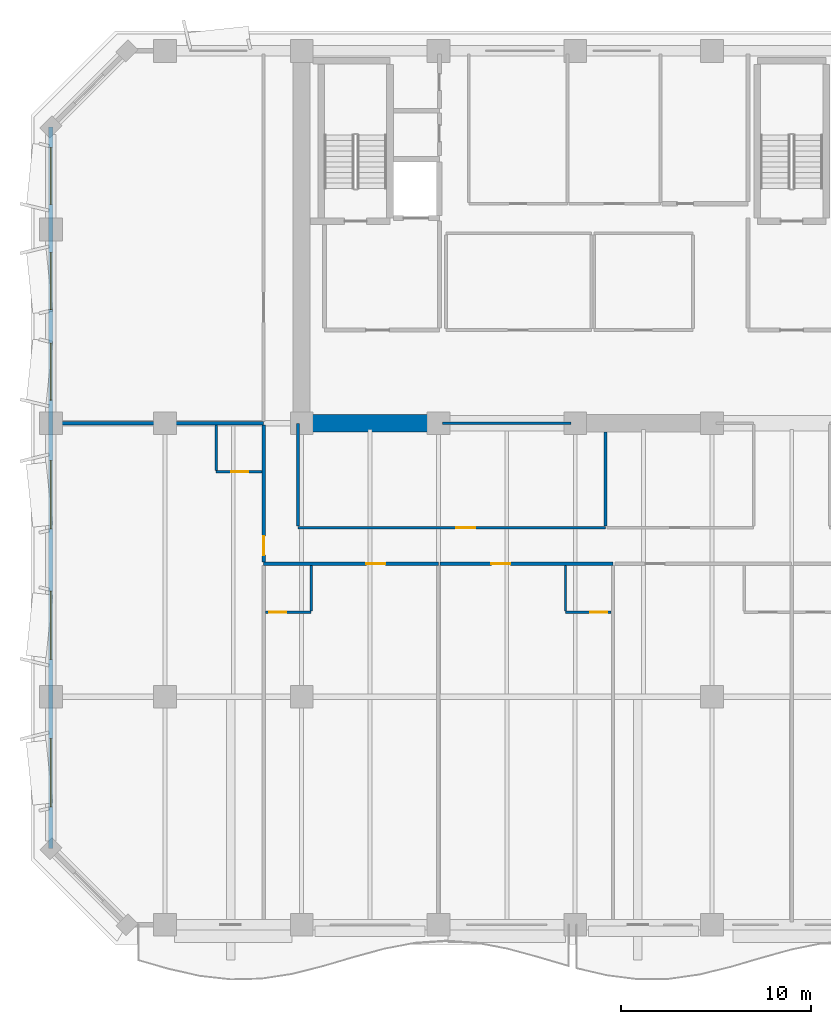
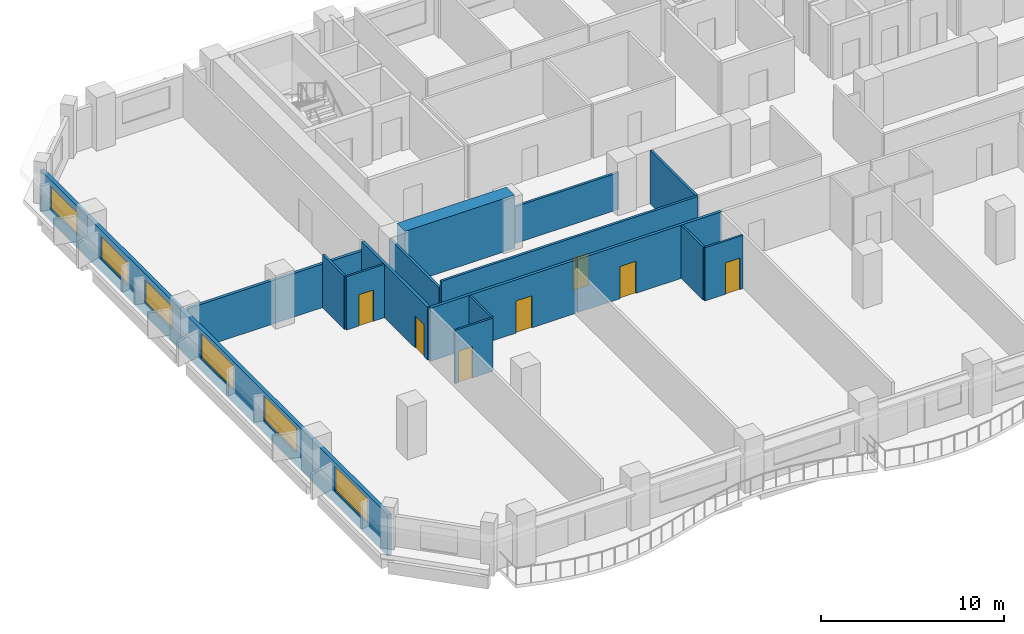
# One storey, part 4 of 14: 16 walls, 7 doors, 6 windows, 13 openings.
"""IFC4 building model written with IfcOpenShell, lengths in metres."""

from ifc_helpers import new_model, si_unit, direction, frame, frame_2d, origin, place, context, subcontext, project, spatial, rectangle, extrude, material, layer, layer_set, type_object, element, fill, save


model = new_model("IFC4")

# Units and contexts
model_context = context("Model", 3, precision=1e-05, world=origin(), true_north=direction((0.0, 1.0)))
body_context = subcontext(model_context, "Body", "Model", "MODEL_VIEW")
ifc_project = project(units=[si_unit("LENGTHUNIT", "METRE"), si_unit("AREAUNIT", "SQUARE_METRE"), si_unit("VOLUMEUNIT", "CUBIC_METRE"), si_unit("PLANEANGLEUNIT", "RADIAN"), si_unit("MASSUNIT", "GRAM", prefix="KILO")], contexts=[model_context])

# Site, building, storey
site_placement = place(None, origin())
site = spatial("IfcSite", under=ifc_project, at=site_placement, CompositionType="ELEMENT")
building_placement = place(site_placement, origin())
building = spatial("IfcBuilding", under=site, at=building_placement, Name="Kaelvorn Grand Hotel", CompositionType="ELEMENT")
storey_placement = place(building_placement, frame((0.0, 0.0, 197.75)))
storey = spatial("IfcBuildingStorey", under=building, at=storey_placement, Name="L48", CompositionType="ELEMENT", Elevation=197.75)

# Wall
ifc_material_1 = material(Name="Concrete C60/75", Category="concrete")
ifc_layer_1 = layer(ifc_material_1, 0.89990234375)
ifc_layer_set_1 = layer_set([ifc_layer_1], Name="Concrete C60/75")
wall_type_1 = type_object("IfcWallType", Name="WL-CORE-900-C60", PredefinedType="SHEAR", material=ifc_layer_set_1)
wall_1_placement = place(storey_placement, frame((16.655029296875, 29.39990234375, 0.0), z_axis=(0.0, 0.0, 1.0), x_axis=(1.0, 0.0, 0.0)))
element("IfcWall", 1, at=wall_1_placement, inside=storey, type_object=wall_type_1, Name="L48 Rear-Core Coupled Shear Pier S1", PredefinedType="SHEAR", context=body_context, shape_type="SweptSolid", body=[
    extrude(rectangle(XDim=6.945068359375, YDim=0.89990234375, at=frame_2d((3.47265625, 0.0))), origin(), (0.0, 0.0, 1.0), 3.56005859375),
])

# Wall, openings, windows
ifc_material_2 = material(Name="Concrete C40/50", Category="concrete")
ifc_layer_2 = layer(ifc_material_2, 0.239990234375)
ifc_layer_set_2 = layer_set([ifc_layer_2], Name="Concrete C40/50")
wall_type_2 = type_object("IfcWallType", Name="WL-EXT-240-C40", PredefinedType="SOLIDWALL", material=ifc_layer_set_2)
wall_2_placement = place(storey_placement, frame((3.0, 45.0, 0.0), z_axis=(0.0, 0.0, 1.0), x_axis=(0.0, -1.0, 0.0)))
wall_2 = element("IfcWall", 2, at=wall_2_placement, inside=storey, type_object=wall_type_2, Name="L48 Exterior Architectural Concrete Wall 07", PredefinedType="SOLIDWALL", context=body_context, shape_type="SweptSolid", body=[
    extrude(rectangle(XDim=38.0, YDim=0.239990234375, at=frame_2d((19.0, 0.0))), origin(), (0.0, 0.0, 1.0), 2.760009765625),
])
opening_1_placement = place(wall_2_placement, frame((32.199951171875, 0.0, 0.85009765625)))
opening_1 = element("IfcOpeningElement", 3, at=opening_1_placement, cuts=wall_2, Name="Opening W3", PredefinedType="OPENING", context=body_context, shape_type="SweptSolid", body=[
    extrude(rectangle(XDim=3.60009765625, YDim=1.64990234375, at=frame_2d((1.800048828125, 0.824951171875))), frame((0.0, 0.1298828125, 0.0), z_axis=(0.0, -1.0, 0.0), x_axis=(1.0, 0.0, 0.0)), (0.0, 0.0, 1.0), 0.260009765625),
])
opening_2_placement = place(wall_2_placement, frame((24.43505859375, 0.0, 0.85009765625)))
opening_2 = element("IfcOpeningElement", 4, at=opening_2_placement, cuts=wall_2, Name="Opening W3", PredefinedType="OPENING", context=body_context, shape_type="SweptSolid", body=[
    extrude(rectangle(XDim=3.60009765625, YDim=1.64990234375, at=frame_2d((1.800048828125, 0.824951171875))), frame((0.0, 0.1298828125, 0.0), z_axis=(0.0, -1.0, 0.0), x_axis=(1.0, 0.0, 0.0)), (0.0, 0.0, 1.0), 0.260009765625),
])
opening_3_placement = place(wall_2_placement, frame((17.56494140625, 0.0, 0.85009765625)))
opening_3 = element("IfcOpeningElement", 5, at=opening_3_placement, cuts=wall_2, Name="Opening W3", PredefinedType="OPENING", context=body_context, shape_type="SweptSolid", body=[
    extrude(rectangle(XDim=3.60009765625, YDim=1.64990234375, at=frame_2d((1.800048828125, 0.824951171875))), frame((0.0, 0.1298828125, 0.0), z_axis=(0.0, -1.0, 0.0), x_axis=(1.0, 0.0, 0.0)), (0.0, 0.0, 1.0), 0.260009765625),
])
opening_4_placement = place(wall_2_placement, frame((11.385009765625, 0.0, 0.85009765625)))
opening_4 = element("IfcOpeningElement", 6, at=opening_4_placement, cuts=wall_2, Name="Opening W5", PredefinedType="OPENING", context=body_context, shape_type="SweptSolid", body=[
    extrude(rectangle(XDim=3.0, YDim=1.5, at=frame_2d((1.5, 0.75))), frame((0.0, 0.1298828125, 0.0), z_axis=(0.0, -1.0, 0.0), x_axis=(1.0, 0.0, 0.0)), (0.0, 0.0, 1.0), 0.260009765625),
])
opening_5_placement = place(wall_2_placement, frame((6.614990234375, 0.0, 0.85009765625)))
opening_5 = element("IfcOpeningElement", 7, at=opening_5_placement, cuts=wall_2, Name="Opening W5", PredefinedType="OPENING", context=body_context, shape_type="SweptSolid", body=[
    extrude(rectangle(XDim=3.0, YDim=1.5, at=frame_2d((1.5, 0.75))), frame((0.0, 0.1298828125, 0.0), z_axis=(0.0, -1.0, 0.0), x_axis=(1.0, 0.0, 0.0)), (0.0, 0.0, 1.0), 0.260009765625),
])
opening_6_placement = place(wall_2_placement, frame((1.0849609375, 0.0, 0.85009765625)))
opening_6 = element("IfcOpeningElement", 8, at=opening_6_placement, cuts=wall_2, Name="Opening W5", PredefinedType="OPENING", context=body_context, shape_type="SweptSolid", body=[
    extrude(rectangle(XDim=3.0, YDim=1.5, at=frame_2d((1.5, 0.75))), frame((0.0, 0.1298828125, 0.0), z_axis=(0.0, -1.0, 0.0), x_axis=(1.0, 0.0, 0.0)), (0.0, 0.0, 1.0), 0.260009765625),
])
ifc_material_3 = material(Name="Laminated Low-E Glass", Category="glass")
window_type_1 = type_object("IfcWindowType", Name="WIN-NTH-3000x1500", PartitioningType="SINGLE_PANEL", PredefinedType="WINDOW", material=ifc_material_3)
window_1_placement = place(opening_4_placement, origin())
window_1 = element("IfcWindow", 9, at=window_1_placement, inside=storey, type_object=window_type_1, Name="L48 W Wing Tilted-Frame Ribbon Window W04", OverallHeight=1.5, OverallWidth=3.0, PartitioningType="SINGLE_PANEL", PredefinedType="WINDOW", context=body_context, shape_type="SweptSolid", body=[
    extrude(rectangle(XDim=3.0, YDim=1.5, at=frame_2d((1.5, 0.75))), frame((0.0, 0.030029296875, 0.0), z_axis=(0.0, -1.0, 0.0), x_axis=(1.0, 0.0, 0.0)), (0.0, 0.0, 1.0), 0.06005859375),
])
fill(opening_4, window_1)
window_2_placement = place(opening_5_placement, origin())
window_2 = element("IfcWindow", 10, at=window_2_placement, inside=storey, type_object=window_type_1, Name="L48 W Wing Tilted-Frame Ribbon Window W05", OverallHeight=1.5, OverallWidth=3.0, PartitioningType="SINGLE_PANEL", PredefinedType="WINDOW", context=body_context, shape_type="SweptSolid", body=[
    extrude(rectangle(XDim=3.0, YDim=1.5, at=frame_2d((1.5, 0.75))), frame((0.0, 0.030029296875, 0.0), z_axis=(0.0, -1.0, 0.0), x_axis=(1.0, 0.0, 0.0)), (0.0, 0.0, 1.0), 0.06005859375),
])
fill(opening_5, window_2)
window_3_placement = place(opening_6_placement, origin())
window_3 = element("IfcWindow", 11, at=window_3_placement, inside=storey, type_object=window_type_1, Name="L48 W Wing Tilted-Frame Ribbon Window W06", OverallHeight=1.5, OverallWidth=3.0, PartitioningType="SINGLE_PANEL", PredefinedType="WINDOW", context=body_context, shape_type="SweptSolid", body=[
    extrude(rectangle(XDim=3.0, YDim=1.5, at=frame_2d((1.5, 0.75))), frame((0.0, 0.030029296875, 0.0), z_axis=(0.0, -1.0, 0.0), x_axis=(1.0, 0.0, 0.0)), (0.0, 0.0, 1.0), 0.06005859375),
])
fill(opening_6, window_3)
window_type_2 = type_object("IfcWindowType", Name="WIN-RIB-3600x1750", PartitioningType="SINGLE_PANEL", PredefinedType="WINDOW", material=ifc_material_3)
window_4_placement = place(opening_1_placement, origin())
window_4 = element("IfcWindow", 12, at=window_4_placement, inside=storey, type_object=window_type_2, Name="L48 W Wing Tilted-Frame Ribbon Window W01", OverallHeight=1.64990234375, OverallWidth=3.60009765625, PartitioningType="SINGLE_PANEL", PredefinedType="WINDOW", context=body_context, shape_type="SweptSolid", body=[
    extrude(rectangle(XDim=3.60009765625, YDim=1.64990234375, at=frame_2d((1.800048828125, 0.824951171875))), frame((0.0, 0.030029296875, 0.0), z_axis=(0.0, -1.0, 0.0), x_axis=(1.0, 0.0, 0.0)), (0.0, 0.0, 1.0), 0.06005859375),
])
fill(opening_1, window_4)
window_5_placement = place(opening_2_placement, origin())
window_5 = element("IfcWindow", 13, at=window_5_placement, inside=storey, type_object=window_type_2, Name="L48 W Wing Tilted-Frame Ribbon Window W02", OverallHeight=1.64990234375, OverallWidth=3.60009765625, PartitioningType="SINGLE_PANEL", PredefinedType="WINDOW", context=body_context, shape_type="SweptSolid", body=[
    extrude(rectangle(XDim=3.60009765625, YDim=1.64990234375, at=frame_2d((1.800048828125, 0.824951171875))), frame((0.0, 0.030029296875, 0.0), z_axis=(0.0, -1.0, 0.0), x_axis=(1.0, 0.0, 0.0)), (0.0, 0.0, 1.0), 0.06005859375),
])
fill(opening_2, window_5)
window_6_placement = place(opening_3_placement, origin())
window_6 = element("IfcWindow", 14, at=window_6_placement, inside=storey, type_object=window_type_2, Name="L48 W Wing Tilted-Frame Ribbon Window W03", OverallHeight=1.64990234375, OverallWidth=3.60009765625, PartitioningType="SINGLE_PANEL", PredefinedType="WINDOW", context=body_context, shape_type="SweptSolid", body=[
    extrude(rectangle(XDim=3.60009765625, YDim=1.64990234375, at=frame_2d((1.800048828125, 0.824951171875))), frame((0.0, 0.030029296875, 0.0), z_axis=(0.0, -1.0, 0.0), x_axis=(1.0, 0.0, 0.0)), (0.0, 0.0, 1.0), 0.06005859375),
])
fill(opening_3, window_6)

# Wall, opening, door
ifc_material_4 = material(Name="Moisture-Resistant Tile & Stud Board")
ifc_layer_3 = layer(ifc_material_4, 0.125)
ifc_layer_set_3 = layer_set([ifc_layer_3], Name="Moisture-Resistant Tile & Stud Board")
wall_type_3 = type_object("IfcWallType", Name="WL-PART-125-WET", PredefinedType="PARTITIONING", material=ifc_layer_set_3)
wall_3_placement = place(storey_placement, frame((14.294921875, 19.449951171875, 0.0), z_axis=(0.0, 0.0, 1.0), x_axis=(1.0, 0.0, 0.0)))
wall_3 = element("IfcWall", 15, at=wall_3_placement, inside=storey, type_object=wall_type_3, Name="L48 En-suite Bathroom L48-01 S Partition", PredefinedType="PARTITIONING", context=body_context, shape_type="SweptSolid", body=[
    extrude(rectangle(XDim=2.405029296875, YDim=0.125, at=frame_2d((1.20263671875, 0.0))), origin(), (0.0, 0.0, 1.0), 3.56005859375),
])
opening_7_placement = place(wall_3_placement, frame((0.205078125, 0.0, 0.0)))
opening_7 = element("IfcOpeningElement", 16, at=opening_7_placement, cuts=wall_3, Name="Opening DI4", PredefinedType="OPENING", context=body_context, shape_type="SweptSolid", body=[
    extrude(rectangle(XDim=0.89990234375, YDim=2.10009765625, at=frame_2d((0.449951171875, 1.050048828125))), frame((0.0, 0.072509765625, 0.0), z_axis=(0.0, -1.0, 0.0), x_axis=(1.0, 0.0, 0.0)), (0.0, 0.0, 1.0), 0.14501953125),
])
ifc_material_5 = material(Name="Timber Veneer Leaf", Category="wood")
door_type_1 = type_object("IfcDoorType", Name="DR-INT-BATH-900x2100", OperationType="NOTDEFINED", PredefinedType="DOOR", material=ifc_material_5)
door_1_placement = place(opening_7_placement, origin())
door_1 = element("IfcDoor", 17, at=door_1_placement, inside=storey, type_object=door_type_1, Name="L48 En-suite Bathroom L48-01 Door", OperationType="SINGLE_SWING_RIGHT", OverallHeight=2.10009765625, OverallWidth=0.89990234375, PredefinedType="DOOR", context=body_context, shape_type="SweptSolid", body=[
    extrude(rectangle(XDim=0.89990234375, YDim=2.10009765625, at=frame_2d((0.449951171875, 1.050048828125))), frame((0.0, 0.02490234375, 0.0), z_axis=(0.0, -1.0, 0.0), x_axis=(1.0, 0.0, 0.0)), (0.0, 0.0, 1.0), 0.050048828125),
])
fill(opening_7, door_1)

# Wall
wall_4_placement = place(storey_placement, frame((16.699951171875, 19.517578125, 0.0), z_axis=(0.0, 0.0, 1.0), x_axis=(0.0, 1.0, 0.0)))
element("IfcWall", 18, at=wall_4_placement, inside=storey, type_object=wall_type_3, Name="L48 En-suite Bathroom L48-01 E Partition", PredefinedType="PARTITIONING", context=body_context, shape_type="SweptSolid", body=[
    extrude(rectangle(XDim=2.387451171875, YDim=0.125, at=frame_2d((1.19384765625, 0.0))), origin(), (0.0, 0.0, 1.0), 3.56005859375),
])

# Wall, opening, door
wall_5_placement = place(storey_placement, frame((30.0908203125, 19.449951171875, 0.0), z_axis=(0.0, 0.0, 1.0), x_axis=(1.0, 0.0, 0.0)))
wall_5 = element("IfcWall", 19, at=wall_5_placement, inside=storey, type_object=wall_type_3, Name="L48 En-suite Bathroom L48-02 S Partition", PredefinedType="PARTITIONING", context=body_context, shape_type="SweptSolid", body=[
    extrude(rectangle(XDim=2.405029296875, YDim=0.125, at=frame_2d((1.20263671875, 0.0))), origin(), (0.0, 0.0, 1.0), 3.56005859375),
])
opening_8_placement = place(wall_5_placement, frame((1.300048828125, 0.0, 0.0)))
opening_8 = element("IfcOpeningElement", 20, at=opening_8_placement, cuts=wall_5, Name="Opening DI4", PredefinedType="OPENING", context=body_context, shape_type="SweptSolid", body=[
    extrude(rectangle(XDim=0.89990234375, YDim=2.10009765625, at=frame_2d((0.449951171875, 1.050048828125))), frame((0.0, 0.072509765625, 0.0), z_axis=(0.0, -1.0, 0.0), x_axis=(1.0, 0.0, 0.0)), (0.0, 0.0, 1.0), 0.14501953125),
])
door_2_placement = place(opening_8_placement, origin())
door_2 = element("IfcDoor", 21, at=door_2_placement, inside=storey, type_object=door_type_1, Name="L48 En-suite Bathroom L48-02 Door", OperationType="SINGLE_SWING_RIGHT", OverallHeight=2.10009765625, OverallWidth=0.89990234375, PredefinedType="DOOR", context=body_context, shape_type="SweptSolid", body=[
    extrude(rectangle(XDim=0.89990234375, YDim=2.10009765625, at=frame_2d((0.449951171875, 1.050048828125))), frame((0.0, 0.02490234375, 0.0), z_axis=(0.0, -1.0, 0.0), x_axis=(1.0, 0.0, 0.0)), (0.0, 0.0, 1.0), 0.050048828125),
])
fill(opening_8, door_2)

# Wall
wall_6_placement = place(storey_placement, frame((30.0908203125, 19.517578125, 0.0), z_axis=(0.0, 0.0, 1.0), x_axis=(0.0, 1.0, 0.0)))
element("IfcWall", 22, at=wall_6_placement, inside=storey, type_object=wall_type_3, Name="L48 En-suite Bathroom L48-02 W Partition", PredefinedType="PARTITIONING", context=body_context, shape_type="SweptSolid", body=[
    extrude(rectangle(XDim=2.387451171875, YDim=0.125, at=frame_2d((1.19384765625, 0.0))), origin(), (0.0, 0.0, 1.0), 3.56005859375),
])

# Wall, opening, door
wall_7_placement = place(storey_placement, frame((11.699951171875, 26.85009765625, 0.0), z_axis=(0.0, 0.0, 1.0), x_axis=(1.0, 0.0, 0.0)))
wall_7 = element("IfcWall", 23, at=wall_7_placement, inside=storey, type_object=wall_type_3, Name="L48 En-suite Bathroom L48-07 S Partition", PredefinedType="PARTITIONING", context=body_context, shape_type="SweptSolid", body=[
    extrude(rectangle(XDim=2.405029296875, YDim=0.125, at=frame_2d((1.20263671875, 0.0))), origin(), (0.0, 0.0, 1.0), 3.56005859375),
])
opening_9_placement = place(wall_7_placement, frame((0.800048828125, 0.0, 0.0)))
opening_9 = element("IfcOpeningElement", 24, at=opening_9_placement, cuts=wall_7, Name="Opening DI4", PredefinedType="OPENING", context=body_context, shape_type="SweptSolid", body=[
    extrude(rectangle(XDim=0.89990234375, YDim=2.10009765625, at=frame_2d((0.449951171875, 1.050048828125))), frame((0.0, 0.072509765625, 0.0), z_axis=(0.0, -1.0, 0.0), x_axis=(1.0, 0.0, 0.0)), (0.0, 0.0, 1.0), 0.14501953125),
])
door_3_placement = place(opening_9_placement, origin())
door_3 = element("IfcDoor", 25, at=door_3_placement, inside=storey, type_object=door_type_1, Name="L48 En-suite Bathroom L48-07 Door", OperationType="SINGLE_SWING_RIGHT", OverallHeight=2.10009765625, OverallWidth=0.89990234375, PredefinedType="DOOR", context=body_context, shape_type="SweptSolid", body=[
    extrude(rectangle(XDim=0.89990234375, YDim=2.10009765625, at=frame_2d((0.449951171875, 1.050048828125))), frame((0.0, 0.02490234375, 0.0), z_axis=(0.0, -1.0, 0.0), x_axis=(1.0, 0.0, 0.0)), (0.0, 0.0, 1.0), 0.050048828125),
])
fill(opening_9, door_3)

# Wall
wall_8_placement = place(storey_placement, frame((11.699951171875, 26.91748046875, 0.0), z_axis=(0.0, 0.0, 1.0), x_axis=(0.0, 1.0, 0.0)))
element("IfcWall", 26, at=wall_8_placement, inside=storey, type_object=wall_type_3, Name="L48 En-suite Bathroom L48-07 W Partition", PredefinedType="PARTITIONING", context=body_context, shape_type="SweptSolid", body=[
    extrude(rectangle(XDim=2.387451171875, YDim=0.125, at=frame_2d((1.19384765625, 0.0))), origin(), (0.0, 0.0, 1.0), 3.56005859375),
])

# Wall, opening, door
ifc_material_6 = material(Name="Acoustic Gypsum & Stud Partition")
ifc_layer_4 = layer(ifc_material_6, 0.14990234375)
ifc_layer_set_4 = layer_set([ifc_layer_4], Name="Acoustic Gypsum & Stud Partition")
wall_type_4 = type_object("IfcWallType", Name="WL-PART-150-EI60", PredefinedType="PARTITIONING", material=ifc_layer_set_4)
wall_9_placement = place(storey_placement, frame((16.0, 23.89990234375, 0.0), z_axis=(0.0, 0.0, 1.0), x_axis=(1.0, 0.0, 0.0)))
wall_9 = element("IfcWall", 27, at=wall_9_placement, inside=storey, type_object=wall_type_4, Name="L48 Art Gallery Salon S Partition", PredefinedType="PARTITIONING", context=body_context, shape_type="SweptSolid", body=[
    extrude(rectangle(XDim=16.199951171875, YDim=0.14990234375, at=frame_2d((8.10009765625, 0.0))), origin(), (0.0, 0.0, 1.0), 3.56005859375),
])
opening_10_placement = place(wall_9_placement, frame((8.35009765625, 0.0, 0.0)))
opening_10 = element("IfcOpeningElement", 28, at=opening_10_placement, cuts=wall_9, Name="Opening DI3", PredefinedType="OPENING", context=body_context, shape_type="SweptSolid", body=[
    extrude(rectangle(XDim=1.0, YDim=2.14990234375, at=frame_2d((0.5, 1.074951171875))), frame((0.0, 0.0849609375, 0.0), z_axis=(0.0, -1.0, 0.0), x_axis=(1.0, 0.0, 0.0)), (0.0, 0.0, 1.0), 0.169921875),
])
ifc_material_7 = material(Name="Timber Veneer Fire Leaf", Category="wood")
door_type_2 = type_object("IfcDoorType", Name="DR-INT-GUEST-1000x2150", OperationType="NOTDEFINED", PredefinedType="DOOR", material=ifc_material_7)
door_4_placement = place(opening_10_placement, origin())
door_4 = element("IfcDoor", 29, at=door_4_placement, inside=storey, type_object=door_type_2, Name="L48 Art Gallery Salon Door", OperationType="SINGLE_SWING_LEFT", OverallHeight=2.14990234375, OverallWidth=1.0, PredefinedType="DOOR", context=body_context, shape_type="SweptSolid", body=[
    extrude(rectangle(XDim=1.0, YDim=2.14990234375, at=frame_2d((0.5, 1.074951171875))), frame((0.0, 0.02490234375, 0.0), z_axis=(0.0, -1.0, 0.0), x_axis=(1.0, 0.0, 0.0)), (0.0, 0.0, 1.0), 0.050048828125),
])
fill(opening_10, door_4)

# Walls
wall_10_placement = place(storey_placement, frame((23.610107421875, 29.39990234375, 0.0), z_axis=(0.0, 0.0, 1.0), x_axis=(1.0, 0.0, 0.0)))
element("IfcWall", 30, at=wall_10_placement, inside=storey, type_object=wall_type_4, Name="L48 Art Gallery Salon N Partition", PredefinedType="PARTITIONING", context=body_context, shape_type="SweptSolid", body=[
    extrude(rectangle(XDim=6.77978515625, YDim=0.14990234375, at=frame_2d((3.389892578125, 0.0))), origin(), (0.0, 0.0, 1.0), 2.4599609375),
])
wall_11_placement = place(storey_placement, frame((16.0, 23.97998046875, 0.0), z_axis=(0.0, 0.0, 1.0), x_axis=(0.0, 1.0, 0.0)))
element("IfcWall", 31, at=wall_11_placement, inside=storey, type_object=wall_type_4, Name="L48 Art Gallery Salon W Partition", PredefinedType="PARTITIONING", context=body_context, shape_type="SweptSolid", body=[
    extrude(rectangle(XDim=5.409912109375, YDim=0.14990234375, at=frame_2d((2.705078125, 0.0))), origin(), (0.0, 0.0, 1.0), 3.06005859375),
])
wall_12_placement = place(storey_placement, frame((32.199951171875, 23.97998046875, 0.0), z_axis=(0.0, 0.0, 1.0), x_axis=(0.0, 1.0, 0.0)))
element("IfcWall", 32, at=wall_12_placement, inside=storey, type_object=wall_type_4, Name="L48 Art Gallery Salon E Partition", PredefinedType="PARTITIONING", context=body_context, shape_type="SweptSolid", body=[
    extrude(rectangle(XDim=4.965087890625, YDim=0.14990234375, at=frame_2d((2.482421875, 0.0))), origin(), (0.0, 0.0, 1.0), 3.56005859375),
])

# Wall, opening, door
ifc_layer_5 = layer(ifc_material_6, 0.179931640625)
ifc_layer_set_5 = layer_set([ifc_layer_5], Name="Acoustic Gypsum & Stud Partition")
wall_type_5 = type_object("IfcWallType", Name="WL-PART-180-EI60", PredefinedType="PARTITIONING", material=ifc_layer_set_5)
wall_13_placement = place(storey_placement, frame((14.199951171875, 22.0, 0.0), z_axis=(0.0, 0.0, 1.0), x_axis=(1.0, 0.0, 0.0)))
wall_13 = element("IfcWall", 33, at=wall_13_placement, inside=storey, type_object=wall_type_5, Name="L48 Mid-Rise Signature Suite L48-01 N Partition", PredefinedType="PARTITIONING", context=body_context, shape_type="SweptSolid", body=[
    extrude(rectangle(XDim=9.195556640625, YDim=0.179931640625, at=frame_2d((4.59765625, 0.0))), origin(), (0.0, 0.0, 1.0), 3.56005859375),
])
opening_11_placement = place(wall_13_placement, frame((5.409912109375, 0.0, 0.0)))
opening_11 = element("IfcOpeningElement", 34, at=opening_11_placement, cuts=wall_13, Name="Opening DI3", PredefinedType="OPENING", context=body_context, shape_type="SweptSolid", body=[
    extrude(rectangle(XDim=1.0, YDim=2.14990234375, at=frame_2d((0.5, 1.074951171875))), frame((0.0, 0.10009765625, 0.0), z_axis=(0.0, -1.0, 0.0), x_axis=(1.0, 0.0, 0.0)), (0.0, 0.0, 1.0), 0.199951171875),
])
door_5_placement = place(opening_11_placement, origin())
door_5 = element("IfcDoor", 35, at=door_5_placement, inside=storey, type_object=door_type_2, Name="L48 Mid-Rise Signature Suite L48-01 Door", OperationType="SINGLE_SWING_LEFT", OverallHeight=2.14990234375, OverallWidth=1.0, PredefinedType="DOOR", context=body_context, shape_type="SweptSolid", body=[
    extrude(rectangle(XDim=1.0, YDim=2.14990234375, at=frame_2d((0.5, 1.074951171875))), frame((0.0, 0.02490234375, 0.0), z_axis=(0.0, -1.0, 0.0), x_axis=(1.0, 0.0, 0.0)), (0.0, 0.0, 1.0), 0.050048828125),
])
fill(opening_11, door_5)

wall_14_placement = place(storey_placement, frame((23.490478515625, 22.0, 0.0), z_axis=(0.0, 0.0, 1.0), x_axis=(1.0, 0.0, 0.0)))
wall_14 = element("IfcWall", 36, at=wall_14_placement, inside=storey, type_object=wall_type_5, Name="L48 Mid-Rise Signature Suite L48-02 N Partition", PredefinedType="PARTITIONING", context=body_context, shape_type="SweptSolid", body=[
    extrude(rectangle(XDim=9.100341796875, YDim=0.179931640625, at=frame_2d((4.55029296875, 0.0))), origin(), (0.0, 0.0, 1.0), 3.56005859375),
])
opening_12_placement = place(wall_14_placement, frame((2.695068359375, 0.0, 0.0)))
opening_12 = element("IfcOpeningElement", 37, at=opening_12_placement, cuts=wall_14, Name="Opening DI3", PredefinedType="OPENING", context=body_context, shape_type="SweptSolid", body=[
    extrude(rectangle(XDim=1.0, YDim=2.14990234375, at=frame_2d((0.5, 1.074951171875))), frame((0.0, 0.10009765625, 0.0), z_axis=(0.0, -1.0, 0.0), x_axis=(1.0, 0.0, 0.0)), (0.0, 0.0, 1.0), 0.199951171875),
])
door_6_placement = place(opening_12_placement, origin())
door_6 = element("IfcDoor", 38, at=door_6_placement, inside=storey, type_object=door_type_2, Name="L48 Mid-Rise Signature Suite L48-02 Door", OperationType="SINGLE_SWING_LEFT", OverallHeight=2.14990234375, OverallWidth=1.0, PredefinedType="DOOR", context=body_context, shape_type="SweptSolid", body=[
    extrude(rectangle(XDim=1.0, YDim=2.14990234375, at=frame_2d((0.5, 1.074951171875))), frame((0.0, 0.02490234375, 0.0), z_axis=(0.0, -1.0, 0.0), x_axis=(1.0, 0.0, 0.0)), (0.0, 0.0, 1.0), 0.050048828125),
])
fill(opening_12, door_6)

# Wall
wall_15_placement = place(storey_placement, frame((3.14990234375, 29.39990234375, 0.0), z_axis=(0.0, 0.0, 1.0), x_axis=(1.0, 0.0, 0.0)))
element("IfcWall", 39, at=wall_15_placement, inside=storey, type_object=wall_type_5, Name="L48 Presidential Sky Suite L48-07 N Partition", PredefinedType="PARTITIONING", context=body_context, shape_type="SweptSolid", body=[
    extrude(rectangle(XDim=11.050048828125, YDim=0.179931640625, at=frame_2d((5.52490234375, 0.0))), origin(), (0.0, 0.0, 1.0), 2.909912109375),
])

# Wall, opening, door
wall_16_placement = place(storey_placement, frame((14.199951171875, 22.094970703125, 0.0), z_axis=(0.0, 0.0, 1.0), x_axis=(0.0, 1.0, 0.0)))
wall_16 = element("IfcWall", 40, at=wall_16_placement, inside=storey, type_object=wall_type_5, Name="L48 Presidential Sky Suite L48-07 E Partition", PredefinedType="PARTITIONING", context=body_context, shape_type="SweptSolid", body=[
    extrude(rectangle(XDim=7.2099609375, YDim=0.179931640625, at=frame_2d((3.60498046875, 0.0))), origin(), (0.0, 0.0, 1.0), 3.56005859375),
])
opening_13_placement = place(wall_16_placement, frame((0.35498046875, 0.0, 0.0)))
opening_13 = element("IfcOpeningElement", 41, at=opening_13_placement, cuts=wall_16, Name="Opening DI3", PredefinedType="OPENING", context=body_context, shape_type="SweptSolid", body=[
    extrude(rectangle(XDim=1.0, YDim=2.14990234375, at=frame_2d((0.5, 1.074951171875))), frame((0.0, 0.10009765625, 0.0), z_axis=(0.0, -1.0, 0.0), x_axis=(1.0, 0.0, 0.0)), (0.0, 0.0, 1.0), 0.199951171875),
])
door_7_placement = place(opening_13_placement, origin())
door_7 = element("IfcDoor", 42, at=door_7_placement, inside=storey, type_object=door_type_2, Name="L48 Presidential Sky Suite L48-07 Door", OperationType="SINGLE_SWING_LEFT", OverallHeight=2.14990234375, OverallWidth=1.0, PredefinedType="DOOR", context=body_context, shape_type="SweptSolid", body=[
    extrude(rectangle(XDim=1.0, YDim=2.14990234375, at=frame_2d((0.5, 1.074951171875))), frame((0.0, 0.02490234375, 0.0), z_axis=(0.0, -1.0, 0.0), x_axis=(1.0, 0.0, 0.0)), (0.0, 0.0, 1.0), 0.050048828125),
])
fill(opening_13, door_7)

save(model, "model.ifc")
